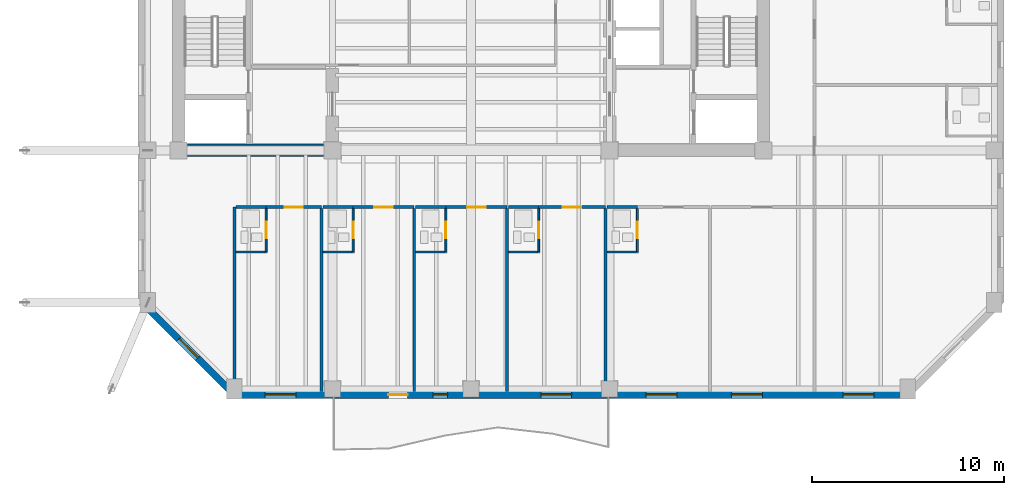
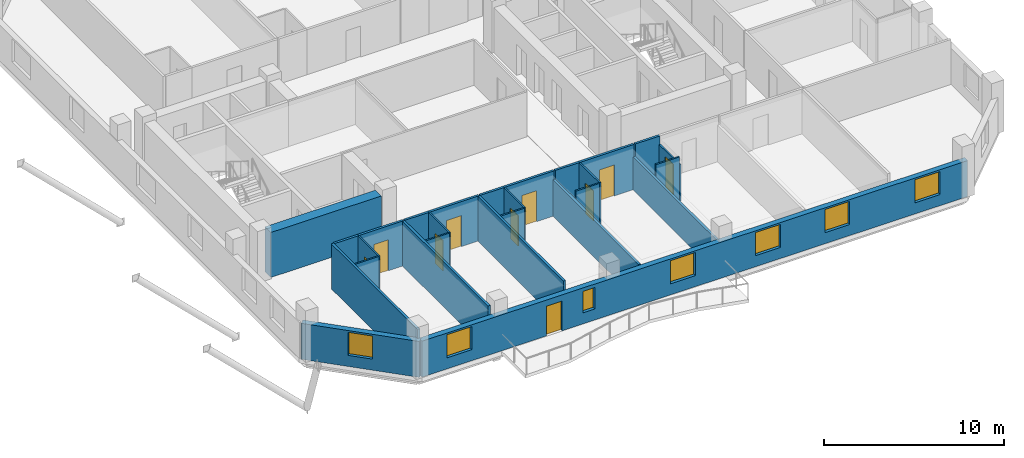
# One storey, part 5 of 13: 27 walls, 10 doors, 7 windows, 17 openings.
"""IFC4 building model written with IfcOpenShell, lengths in metres."""

from ifc_helpers import new_model, si_unit, direction, frame, frame_2d, origin, place, context, subcontext, project, spatial, rectangle, extrude, material, layer, layer_set, type_object, element, fill, save


model = new_model("IFC4")

# Units and contexts
model_context = context("Model", 3, precision=1e-05, world=origin(), true_north=direction((0.0, 1.0)))
body_context = subcontext(model_context, "Body", "Model", "MODEL_VIEW")
ifc_project = project(units=[si_unit("LENGTHUNIT", "METRE"), si_unit("AREAUNIT", "SQUARE_METRE"), si_unit("VOLUMEUNIT", "CUBIC_METRE"), si_unit("PLANEANGLEUNIT", "RADIAN"), si_unit("MASSUNIT", "GRAM", prefix="KILO")], contexts=[model_context])

# Site, building, storey
site_placement = place(None, origin())
site = spatial("IfcSite", under=ifc_project, at=site_placement, CompositionType="ELEMENT")
building_placement = place(site_placement, origin())
building = spatial("IfcBuilding", under=site, at=building_placement, Name="Kranthara Brick Stack", CompositionType="ELEMENT")
storey_placement = place(building_placement, frame((0.0, 0.0, 179.800048828125)))
storey = spatial("IfcBuildingStorey", under=building, at=storey_placement, Name="L46", CompositionType="ELEMENT", Elevation=179.800048828125)

# Wall, openings, door, windows
ifc_material_1 = material(Name="Kiln-fired clay brick masonry M15", Category="masonry")
ifc_layer_1 = layer(ifc_material_1, 0.35009765625)
ifc_layer_set_1 = layer_set([ifc_layer_1], Name="Kiln-fired clay brick masonry M15")
wall_type_1 = type_object("IfcWallType", Name="WL-BRK-SPND-350", PredefinedType="STANDARD", material=ifc_layer_set_1)
wall_1_placement = place(storey_placement, frame((50.699951171875, 8.094970703125, 0.0), z_axis=(0.0, 0.0, 1.0), x_axis=(-1.0, 0.0, 0.0)))
wall_1 = element("IfcWall", 1, at=wall_1_placement, inside=storey, type_object=wall_type_1, Name="L46 Exterior Brick Facade Wall SOUTH 1", PredefinedType="STANDARD", context=body_context, shape_type="SweptSolid", body=[
    extrude(rectangle(XDim=35.0, YDim=0.35009765625, at=frame_2d((17.5, 0.0))), origin(), (0.0, 0.0, 1.0), 2.43505859375),
])
opening_1_placement = place(wall_1_placement, frame((26.0, 0.0, 0.0)))
opening_1 = element("IfcOpeningElement", 2, at=opening_1_placement, cuts=wall_1, Name="Opening D03", PredefinedType="OPENING", context=body_context, shape_type="SweptSolid", body=[
    extrude(rectangle(XDim=1.0, YDim=2.02001953125, at=frame_2d((0.5, 1.010009765625))), frame((0.0, 0.18505859375, 0.0), z_axis=(0.0, -1.0, 0.0), x_axis=(1.0, 0.0, 0.0)), (0.0, 0.0, 1.0), 0.3701171875),
])
opening_2_placement = place(wall_1_placement, frame((1.762939453125, 0.0, 0.75)))
opening_2 = element("IfcOpeningElement", 3, at=opening_2_placement, cuts=wall_1, Name="Opening WN04", PredefinedType="OPENING", context=body_context, shape_type="SweptSolid", body=[
    extrude(rectangle(XDim=1.60009765625, YDim=1.56494140625, at=frame_2d((0.800048828125, 0.782470703125))), frame((0.0, 0.18505859375, 0.0), z_axis=(0.0, -1.0, 0.0), x_axis=(1.0, 0.0, 0.0)), (0.0, 0.0, 1.0), 0.3701171875),
])
opening_3_placement = place(wall_1_placement, frame((7.56396484375, 0.0, 0.75)))
opening_3 = element("IfcOpeningElement", 4, at=opening_3_placement, cuts=wall_1, Name="Opening WN04", PredefinedType="OPENING", context=body_context, shape_type="SweptSolid", body=[
    extrude(rectangle(XDim=1.60009765625, YDim=1.56494140625, at=frame_2d((0.800048828125, 0.782470703125))), frame((0.0, 0.18505859375, 0.0), z_axis=(0.0, -1.0, 0.0), x_axis=(1.0, 0.0, 0.0)), (0.0, 0.0, 1.0), 0.3701171875),
])
opening_4_placement = place(wall_1_placement, frame((12.0009765625, 0.0, 0.75)))
opening_4 = element("IfcOpeningElement", 5, at=opening_4_placement, cuts=wall_1, Name="Opening WN04", PredefinedType="OPENING", context=body_context, shape_type="SweptSolid", body=[
    extrude(rectangle(XDim=1.60009765625, YDim=1.56494140625, at=frame_2d((0.800048828125, 0.782470703125))), frame((0.0, 0.18505859375, 0.0), z_axis=(0.0, -1.0, 0.0), x_axis=(1.0, 0.0, 0.0)), (0.0, 0.0, 1.0), 0.3701171875),
])
opening_5_placement = place(wall_1_placement, frame((17.467041015625, 0.0, 0.75)))
opening_5 = element("IfcOpeningElement", 6, at=opening_5_placement, cuts=wall_1, Name="Opening WN04", PredefinedType="OPENING", context=body_context, shape_type="SweptSolid", body=[
    extrude(rectangle(XDim=1.60009765625, YDim=1.56494140625, at=frame_2d((0.800048828125, 0.782470703125))), frame((0.0, 0.18505859375, 0.0), z_axis=(0.0, -1.0, 0.0), x_axis=(1.0, 0.0, 0.0)), (0.0, 0.0, 1.0), 0.3701171875),
])
opening_6_placement = place(wall_1_placement, frame((31.801025390625, 0.0, 0.75)))
opening_6 = element("IfcOpeningElement", 7, at=opening_6_placement, cuts=wall_1, Name="Opening WN04", PredefinedType="OPENING", context=body_context, shape_type="SweptSolid", body=[
    extrude(rectangle(XDim=1.60009765625, YDim=1.56494140625, at=frame_2d((0.800048828125, 0.782470703125))), frame((0.0, 0.18505859375, 0.0), z_axis=(0.0, -1.0, 0.0), x_axis=(1.0, 0.0, 0.0)), (0.0, 0.0, 1.0), 0.3701171875),
])
opening_7_placement = place(wall_1_placement, frame((23.9140625, 0.0, 0.75)))
opening_7 = element("IfcOpeningElement", 8, at=opening_7_placement, cuts=wall_1, Name="Opening WN13", PredefinedType="OPENING", context=body_context, shape_type="SweptSolid", body=[
    extrude(rectangle(XDim=0.75, YDim=1.449951171875, at=frame_2d((0.375, 0.72509765625))), frame((0.0, 0.18505859375, 0.0), z_axis=(0.0, -1.0, 0.0), x_axis=(1.0, 0.0, 0.0)), (0.0, 0.0, 1.0), 0.3701171875),
])
ifc_material_2 = material(Name="Bronze anodised aluminium and laminated glass", Category="aluminium")
door_type_1 = type_object("IfcDoorType", Name="DR-BALC-1000", OperationType="NOTDEFINED", PredefinedType="DOOR", material=ifc_material_2)
door_1_placement = place(opening_1_placement, origin())
door_1 = element("IfcDoor", 9, at=door_1_placement, inside=storey, type_object=door_type_1, Name="L46 South Balcony Terrace Door", OperationType="SINGLE_SWING_LEFT", OverallHeight=2.02001953125, OverallWidth=1.0, PredefinedType="DOOR", context=body_context, shape_type="SweptSolid", body=[
    extrude(rectangle(XDim=1.0, YDim=2.02001953125, at=frame_2d((0.5, 1.010009765625))), frame((0.0, 0.02490234375, 0.0), z_axis=(0.0, -1.0, 0.0), x_axis=(1.0, 0.0, 0.0)), (0.0, 0.0, 1.0), 0.050048828125),
])
fill(opening_1, door_1)
ifc_material_3 = material(Name="Double-glazed low-E solar control glass", Category="glass")
window_type_1 = type_object("IfcWindowType", Name="WN-CAS-750x1450", PartitioningType="SINGLE_PANEL", PredefinedType="WINDOW", material=ifc_material_3)
window_1_placement = place(opening_7_placement, origin())
window_1 = element("IfcWindow", 10, at=window_1_placement, inside=storey, type_object=window_type_1, Name="L46 South Deep-Set Casement Window 06", OverallHeight=1.449951171875, OverallWidth=0.75, PartitioningType="SINGLE_PANEL", PredefinedType="WINDOW", context=body_context, shape_type="SweptSolid", body=[
    extrude(rectangle(XDim=0.75, YDim=1.449951171875, at=frame_2d((0.375, 0.72509765625))), frame((0.0, -0.010009765625, 0.0), z_axis=(0.0, -1.0, 0.0), x_axis=(1.0, 0.0, 0.0)), (0.0, 0.0, 1.0), 0.06005859375),
])
fill(opening_7, window_1)
ifc_material_4 = material(Name="Double-glazed low-E solar control glass", Category="glass")
window_type_2 = type_object("IfcWindowType", Name="WN-HTL-1600x1850", PartitioningType="DOUBLE_PANEL_VERTICAL", PredefinedType="WINDOW", material=ifc_material_4)
window_2_placement = place(opening_2_placement, origin())
window_2 = element("IfcWindow", 11, at=window_2_placement, inside=storey, type_object=window_type_2, Name="L46 South Deep-Set Brick Window 01", OverallHeight=1.56494140625, OverallWidth=1.60009765625, PartitioningType="SINGLE_PANEL", PredefinedType="WINDOW", context=body_context, shape_type="SweptSolid", body=[
    extrude(rectangle(XDim=1.60009765625, YDim=1.56494140625, at=frame_2d((0.800048828125, 0.782470703125))), frame((0.0, -0.010009765625, 0.0), z_axis=(0.0, -1.0, 0.0), x_axis=(1.0, 0.0, 0.0)), (0.0, 0.0, 1.0), 0.06005859375),
])
fill(opening_2, window_2)
window_3_placement = place(opening_3_placement, origin())
window_3 = element("IfcWindow", 12, at=window_3_placement, inside=storey, type_object=window_type_2, Name="L46 South Deep-Set Brick Window 02", OverallHeight=1.56494140625, OverallWidth=1.60009765625, PartitioningType="SINGLE_PANEL", PredefinedType="WINDOW", context=body_context, shape_type="SweptSolid", body=[
    extrude(rectangle(XDim=1.60009765625, YDim=1.56494140625, at=frame_2d((0.800048828125, 0.782470703125))), frame((0.0, -0.010009765625, 0.0), z_axis=(0.0, -1.0, 0.0), x_axis=(1.0, 0.0, 0.0)), (0.0, 0.0, 1.0), 0.06005859375),
])
fill(opening_3, window_3)
window_4_placement = place(opening_4_placement, origin())
window_4 = element("IfcWindow", 13, at=window_4_placement, inside=storey, type_object=window_type_2, Name="L46 South Deep-Set Brick Window 03", OverallHeight=1.56494140625, OverallWidth=1.60009765625, PartitioningType="SINGLE_PANEL", PredefinedType="WINDOW", context=body_context, shape_type="SweptSolid", body=[
    extrude(rectangle(XDim=1.60009765625, YDim=1.56494140625, at=frame_2d((0.800048828125, 0.782470703125))), frame((0.0, -0.010009765625, 0.0), z_axis=(0.0, -1.0, 0.0), x_axis=(1.0, 0.0, 0.0)), (0.0, 0.0, 1.0), 0.06005859375),
])
fill(opening_4, window_4)
window_5_placement = place(opening_5_placement, origin())
window_5 = element("IfcWindow", 14, at=window_5_placement, inside=storey, type_object=window_type_2, Name="L46 South Deep-Set Brick Window 04", OverallHeight=1.56494140625, OverallWidth=1.60009765625, PartitioningType="SINGLE_PANEL", PredefinedType="WINDOW", context=body_context, shape_type="SweptSolid", body=[
    extrude(rectangle(XDim=1.60009765625, YDim=1.56494140625, at=frame_2d((0.800048828125, 0.782470703125))), frame((0.0, -0.010009765625, 0.0), z_axis=(0.0, -1.0, 0.0), x_axis=(1.0, 0.0, 0.0)), (0.0, 0.0, 1.0), 0.06005859375),
])
fill(opening_5, window_5)
window_6_placement = place(opening_6_placement, origin())
window_6 = element("IfcWindow", 15, at=window_6_placement, inside=storey, type_object=window_type_2, Name="L46 South Deep-Set Brick Window 05", OverallHeight=1.56494140625, OverallWidth=1.60009765625, PartitioningType="SINGLE_PANEL", PredefinedType="WINDOW", context=body_context, shape_type="SweptSolid", body=[
    extrude(rectangle(XDim=1.60009765625, YDim=1.56494140625, at=frame_2d((0.800048828125, 0.782470703125))), frame((0.0, -0.010009765625, 0.0), z_axis=(0.0, -1.0, 0.0), x_axis=(1.0, 0.0, 0.0)), (0.0, 0.0, 1.0), 0.06005859375),
])
fill(opening_6, window_6)

# Wall, opening, window
wall_2_placement = place(storey_placement, frame((15.699951171875, 8.094970703125, 0.0), z_axis=(0.0, 0.0, 1.0), x_axis=(-0.707106781187, 0.707106781187, 0.0)))
wall_2 = element("IfcWall", 16, at=wall_2_placement, inside=storey, type_object=wall_type_1, Name="L46 Exterior Brick Facade Wall SW 1", PredefinedType="STANDARD", context=body_context, shape_type="SweptSolid", body=[
    extrude(rectangle(XDim=6.795166015625, YDim=0.35009765625, at=frame_2d((3.3974609375, 0.0))), origin(), (0.0, 0.0, 1.0), 2.43505859375),
])
opening_8_placement = place(wall_2_placement, frame((2.697998046875, 0.0, 0.75)))
opening_8 = element("IfcOpeningElement", 17, at=opening_8_placement, cuts=wall_2, Name="Opening WN10", PredefinedType="OPENING", context=body_context, shape_type="SweptSolid", body=[
    extrude(rectangle(XDim=1.39990234375, YDim=1.56494140625, at=frame_2d((0.699951171875, 0.782470703125))), frame((0.0, 0.18505859375, 0.0), z_axis=(0.0, -1.0, 0.0), x_axis=(1.0, 0.0, 0.0)), (0.0, 0.0, 1.0), 0.3701171875),
])
ifc_material_5 = material(Name="Double-glazed low-E solar control glass", Category="glass")
window_type_3 = type_object("IfcWindowType", Name="WN-CHM-1400x1750", PartitioningType="SINGLE_PANEL", PredefinedType="WINDOW", material=ifc_material_5)
window_7_placement = place(opening_8_placement, origin())
window_7 = element("IfcWindow", 18, at=window_7_placement, inside=storey, type_object=window_type_3, Name="L46 SW Chamfer Corner Window", OverallHeight=1.56494140625, OverallWidth=1.39990234375, PartitioningType="SINGLE_PANEL", PredefinedType="WINDOW", context=body_context, shape_type="SweptSolid", body=[
    extrude(rectangle(XDim=1.39990234375, YDim=1.56494140625, at=frame_2d((0.699951171875, 0.782470703125))), frame((0.0, -0.010009765625, 0.0), z_axis=(0.0, -1.0, 0.0), x_axis=(1.0, 0.0, 0.0)), (0.0, 0.0, 1.0), 0.06005859375),
])
fill(opening_8, window_7)

# Wall
ifc_material_6 = material(Name="Concrete C60/75", Category="concrete")
ifc_layer_2 = layer(ifc_material_6, 0.64990234375)
ifc_layer_set_2 = layer_set([ifc_layer_2], Name="Concrete C60/75")
wall_type_2 = type_object("IfcWallType", Name="WL-CORE-650", PredefinedType="SHEAR", material=ifc_layer_set_2)
wall_3_placement = place(storey_placement, frame((13.2548828125, 20.800048828125, 0.0), z_axis=(0.0, 0.0, 1.0), x_axis=(1.0, 0.0, 0.0)))
element("IfcWall", 19, at=wall_3_placement, inside=storey, type_object=wall_type_2, Name="L46 West Core Shear Wall South", PredefinedType="SHEAR", context=body_context, shape_type="SweptSolid", body=[
    extrude(rectangle(XDim=7.090087890625, YDim=0.64990234375, at=frame_2d((3.544921875, 0.0))), origin(), (0.0, 0.0, 1.0), 3.050048828125),
])

# Wall, opening, door
ifc_material_7 = material(Name="Moisture-resistant wet-room partition", Category="other")
ifc_layer_3 = layer(ifc_material_7, 0.10009765625)
ifc_layer_set_3 = layer_set([ifc_layer_3], Name="Moisture-resistant wet-room partition")
wall_type_3 = type_object("IfcWallType", Name="WL-PART-100", PredefinedType="PARTITIONING", material=ifc_layer_set_3)
wall_4_placement = place(storey_placement, frame((17.35009765625, 15.52001953125, 0.0), z_axis=(0.0, 0.0, 1.0), x_axis=(0.0, 1.0, 0.0)))
wall_4 = element("IfcWall", 20, at=wall_4_placement, inside=storey, type_object=wall_type_3, Name="L46 Interior Partition 008", PredefinedType="PARTITIONING", context=body_context, shape_type="SweptSolid", body=[
    extrude(rectangle(XDim=2.25, YDim=0.10009765625, at=frame_2d((1.125, 0.0))), origin(), (0.0, 0.0, 1.0), 3.050048828125),
])
opening_9_placement = place(wall_4_placement, frame((0.719970703125, 0.0, 0.0)))
opening_9 = element("IfcOpeningElement", 21, at=opening_9_placement, cuts=wall_4, Name="Opening D17", PredefinedType="OPENING", context=body_context, shape_type="SweptSolid", body=[
    extrude(rectangle(XDim=0.85009765625, YDim=2.050048828125, at=frame_2d((0.425048828125, 1.02490234375))), frame((0.0, 0.06005859375, 0.0), z_axis=(0.0, -1.0, 0.0), x_axis=(1.0, 0.0, 0.0)), (0.0, 0.0, 1.0), 0.1201171875),
])
ifc_material_8 = material(Name="Solid-core hardwood timber leaf in steel frame", Category="steel")
door_type_2 = type_object("IfcDoorType", Name="DR-WET-850", OperationType="NOTDEFINED", PredefinedType="DOOR", material=ifc_material_8)
door_2_placement = place(opening_9_placement, origin())
door_2 = element("IfcDoor", 22, at=door_2_placement, inside=storey, type_object=door_type_2, Name="L46 Key 01 En-Suite Door 03", OperationType="SINGLE_SWING_LEFT", OverallHeight=2.050048828125, OverallWidth=0.85009765625, PredefinedType="DOOR", context=body_context, shape_type="SweptSolid", body=[
    extrude(rectangle(XDim=0.85009765625, YDim=2.050048828125, at=frame_2d((0.425048828125, 1.02490234375))), frame((0.0, 0.02490234375, 0.0), z_axis=(0.0, -1.0, 0.0), x_axis=(1.0, 0.0, 0.0)), (0.0, 0.0, 1.0), 0.050048828125),
])
fill(opening_9, door_2)

# Wall
wall_5_placement = place(storey_placement, frame((15.780029296875, 15.52001953125, 0.0), z_axis=(0.0, 0.0, 1.0), x_axis=(1.0, 0.0, 0.0)))
element("IfcWall", 23, at=wall_5_placement, inside=storey, type_object=wall_type_3, Name="L46 Interior Partition 009", PredefinedType="PARTITIONING", context=body_context, shape_type="SweptSolid", body=[
    extrude(rectangle(XDim=1.514892578125, YDim=0.10009765625, at=frame_2d((0.75732421875, 0.0))), origin(), (0.0, 0.0, 1.0), 3.050048828125),
])

# Wall, opening, door
wall_6_placement = place(storey_placement, frame((21.873046875, 15.52001953125, 0.0), z_axis=(0.0, 0.0, 1.0), x_axis=(0.0, 1.0, 0.0)))
wall_6 = element("IfcWall", 24, at=wall_6_placement, inside=storey, type_object=wall_type_3, Name="L46 Interior Partition 013", PredefinedType="PARTITIONING", context=body_context, shape_type="SweptSolid", body=[
    extrude(rectangle(XDim=2.25, YDim=0.10009765625, at=frame_2d((1.125, 0.0))), origin(), (0.0, 0.0, 1.0), 3.050048828125),
])
opening_10_placement = place(wall_6_placement, frame((0.719970703125, 0.0, 0.0)))
opening_10 = element("IfcOpeningElement", 25, at=opening_10_placement, cuts=wall_6, Name="Opening D17", PredefinedType="OPENING", context=body_context, shape_type="SweptSolid", body=[
    extrude(rectangle(XDim=0.85009765625, YDim=2.050048828125, at=frame_2d((0.425048828125, 1.02490234375))), frame((0.0, 0.06005859375, 0.0), z_axis=(0.0, -1.0, 0.0), x_axis=(1.0, 0.0, 0.0)), (0.0, 0.0, 1.0), 0.1201171875),
])
door_3_placement = place(opening_10_placement, origin())
door_3 = element("IfcDoor", 26, at=door_3_placement, inside=storey, type_object=door_type_2, Name="L46 Key 02 En-Suite Door 05", OperationType="SINGLE_SWING_LEFT", OverallHeight=2.050048828125, OverallWidth=0.85009765625, PredefinedType="DOOR", context=body_context, shape_type="SweptSolid", body=[
    extrude(rectangle(XDim=0.85009765625, YDim=2.050048828125, at=frame_2d((0.425048828125, 1.02490234375))), frame((0.0, 0.02490234375, 0.0), z_axis=(0.0, -1.0, 0.0), x_axis=(1.0, 0.0, 0.0)), (0.0, 0.0, 1.0), 0.050048828125),
])
fill(opening_10, door_3)

# Wall
wall_7_placement = place(storey_placement, frame((20.302978515625, 15.52001953125, 0.0), z_axis=(0.0, 0.0, 1.0), x_axis=(1.0, 0.0, 0.0)))
element("IfcWall", 27, at=wall_7_placement, inside=storey, type_object=wall_type_3, Name="L46 Interior Partition 014", PredefinedType="PARTITIONING", context=body_context, shape_type="SweptSolid", body=[
    extrude(rectangle(XDim=1.51513671875, YDim=0.10009765625, at=frame_2d((0.757568359375, 0.0))), origin(), (0.0, 0.0, 1.0), 3.050048828125),
])

# Wall, opening, door
wall_8_placement = place(storey_placement, frame((26.697021484375, 15.52001953125, 0.0), z_axis=(0.0, 0.0, 1.0), x_axis=(0.0, 1.0, 0.0)))
wall_8 = element("IfcWall", 28, at=wall_8_placement, inside=storey, type_object=wall_type_3, Name="L46 Interior Partition 018", PredefinedType="PARTITIONING", context=body_context, shape_type="SweptSolid", body=[
    extrude(rectangle(XDim=2.25, YDim=0.10009765625, at=frame_2d((1.125, 0.0))), origin(), (0.0, 0.0, 1.0), 3.050048828125),
])
opening_11_placement = place(wall_8_placement, frame((0.719970703125, 0.0, 0.0)))
opening_11 = element("IfcOpeningElement", 29, at=opening_11_placement, cuts=wall_8, Name="Opening D17", PredefinedType="OPENING", context=body_context, shape_type="SweptSolid", body=[
    extrude(rectangle(XDim=0.85009765625, YDim=2.050048828125, at=frame_2d((0.425048828125, 1.02490234375))), frame((0.0, 0.06005859375, 0.0), z_axis=(0.0, -1.0, 0.0), x_axis=(1.0, 0.0, 0.0)), (0.0, 0.0, 1.0), 0.1201171875),
])
door_4_placement = place(opening_11_placement, origin())
door_4 = element("IfcDoor", 30, at=door_4_placement, inside=storey, type_object=door_type_2, Name="L46 Key 03 En-Suite Door 07", OperationType="SINGLE_SWING_LEFT", OverallHeight=2.050048828125, OverallWidth=0.85009765625, PredefinedType="DOOR", context=body_context, shape_type="SweptSolid", body=[
    extrude(rectangle(XDim=0.85009765625, YDim=2.050048828125, at=frame_2d((0.425048828125, 1.02490234375))), frame((0.0, 0.02490234375, 0.0), z_axis=(0.0, -1.0, 0.0), x_axis=(1.0, 0.0, 0.0)), (0.0, 0.0, 1.0), 0.050048828125),
])
fill(opening_11, door_4)

# Wall
wall_9_placement = place(storey_placement, frame((25.126953125, 15.52001953125, 0.0), z_axis=(0.0, 0.0, 1.0), x_axis=(1.0, 0.0, 0.0)))
element("IfcWall", 31, at=wall_9_placement, inside=storey, type_object=wall_type_3, Name="L46 Interior Partition 019", PredefinedType="PARTITIONING", context=body_context, shape_type="SweptSolid", body=[
    extrude(rectangle(XDim=1.51513671875, YDim=0.10009765625, at=frame_2d((0.757568359375, 0.0))), origin(), (0.0, 0.0, 1.0), 3.050048828125),
])

# Wall, opening, door
wall_10_placement = place(storey_placement, frame((31.52001953125, 15.52001953125, 0.0), z_axis=(0.0, 0.0, 1.0), x_axis=(0.0, 1.0, 0.0)))
wall_10 = element("IfcWall", 32, at=wall_10_placement, inside=storey, type_object=wall_type_3, Name="L46 Interior Partition 023", PredefinedType="PARTITIONING", context=body_context, shape_type="SweptSolid", body=[
    extrude(rectangle(XDim=2.25, YDim=0.10009765625, at=frame_2d((1.125, 0.0))), origin(), (0.0, 0.0, 1.0), 3.050048828125),
])
opening_12_placement = place(wall_10_placement, frame((0.719970703125, 0.0, 0.0)))
opening_12 = element("IfcOpeningElement", 33, at=opening_12_placement, cuts=wall_10, Name="Opening D17", PredefinedType="OPENING", context=body_context, shape_type="SweptSolid", body=[
    extrude(rectangle(XDim=0.85009765625, YDim=2.050048828125, at=frame_2d((0.425048828125, 1.02490234375))), frame((0.0, 0.06005859375, 0.0), z_axis=(0.0, -1.0, 0.0), x_axis=(1.0, 0.0, 0.0)), (0.0, 0.0, 1.0), 0.1201171875),
])
door_5_placement = place(opening_12_placement, origin())
door_5 = element("IfcDoor", 34, at=door_5_placement, inside=storey, type_object=door_type_2, Name="L46 Key 04 En-Suite Door 09", OperationType="SINGLE_SWING_LEFT", OverallHeight=2.050048828125, OverallWidth=0.85009765625, PredefinedType="DOOR", context=body_context, shape_type="SweptSolid", body=[
    extrude(rectangle(XDim=0.85009765625, YDim=2.050048828125, at=frame_2d((0.425048828125, 1.02490234375))), frame((0.0, 0.02490234375, 0.0), z_axis=(0.0, -1.0, 0.0), x_axis=(1.0, 0.0, 0.0)), (0.0, 0.0, 1.0), 0.050048828125),
])
fill(opening_12, door_5)

# Wall
wall_11_placement = place(storey_placement, frame((29.949951171875, 15.52001953125, 0.0), z_axis=(0.0, 0.0, 1.0), x_axis=(1.0, 0.0, 0.0)))
element("IfcWall", 35, at=wall_11_placement, inside=storey, type_object=wall_type_3, Name="L46 Interior Partition 024", PredefinedType="PARTITIONING", context=body_context, shape_type="SweptSolid", body=[
    extrude(rectangle(XDim=1.51513671875, YDim=0.10009765625, at=frame_2d((0.757568359375, 0.0))), origin(), (0.0, 0.0, 1.0), 3.050048828125),
])

# Wall, opening, door
wall_12_placement = place(storey_placement, frame((36.64599609375, 15.52001953125, 0.0), z_axis=(0.0, 0.0, 1.0), x_axis=(0.0, 1.0, 0.0)))
wall_12 = element("IfcWall", 36, at=wall_12_placement, inside=storey, type_object=wall_type_3, Name="L46 Interior Partition 028", PredefinedType="PARTITIONING", context=body_context, shape_type="SweptSolid", body=[
    extrude(rectangle(XDim=2.25, YDim=0.10009765625, at=frame_2d((1.125, 0.0))), origin(), (0.0, 0.0, 1.0), 2.48486328125),
])
opening_13_placement = place(wall_12_placement, frame((0.719970703125, 0.0, 0.0)))
opening_13 = element("IfcOpeningElement", 37, at=opening_13_placement, cuts=wall_12, Name="Opening D17", PredefinedType="OPENING", context=body_context, shape_type="SweptSolid", body=[
    extrude(rectangle(XDim=0.85009765625, YDim=2.050048828125, at=frame_2d((0.425048828125, 1.02490234375))), frame((0.0, 0.06005859375, 0.0), z_axis=(0.0, -1.0, 0.0), x_axis=(1.0, 0.0, 0.0)), (0.0, 0.0, 1.0), 0.1201171875),
])
door_6_placement = place(opening_13_placement, origin())
door_6 = element("IfcDoor", 38, at=door_6_placement, inside=storey, type_object=door_type_2, Name="L46 Key 05 En-Suite Door 11", OperationType="SINGLE_SWING_LEFT", OverallHeight=2.050048828125, OverallWidth=0.85009765625, PredefinedType="DOOR", context=body_context, shape_type="SweptSolid", body=[
    extrude(rectangle(XDim=0.85009765625, YDim=2.050048828125, at=frame_2d((0.425048828125, 1.02490234375))), frame((0.0, 0.02490234375, 0.0), z_axis=(0.0, -1.0, 0.0), x_axis=(1.0, 0.0, 0.0)), (0.0, 0.0, 1.0), 0.050048828125),
])
fill(opening_13, door_6)

# Walls
wall_13_placement = place(storey_placement, frame((35.075927734375, 15.52001953125, 0.0), z_axis=(0.0, 0.0, 1.0), x_axis=(1.0, 0.0, 0.0)))
element("IfcWall", 39, at=wall_13_placement, inside=storey, type_object=wall_type_3, Name="L46 Interior Partition 029", PredefinedType="PARTITIONING", context=body_context, shape_type="SweptSolid", body=[
    extrude(rectangle(XDim=1.51513671875, YDim=0.10009765625, at=frame_2d((0.757568359375, 0.0))), origin(), (0.0, 0.0, 1.0), 3.050048828125),
])
ifc_material_9 = material(Name="Fire-rated gypsum board partition", Category="other")
ifc_layer_4 = layer(ifc_material_9, 0.14990234375)
ifc_layer_set_4 = layer_set([ifc_layer_4], Name="Fire-rated gypsum board partition")
wall_type_4 = type_object("IfcWallType", Name="WL-PART-150", PredefinedType="PARTITIONING", material=ifc_layer_set_4)
wall_14_placement = place(storey_placement, frame((15.699951171875, 8.27490234375, 0.0), z_axis=(0.0, 0.0, 1.0), x_axis=(0.0, 1.0, 0.0)))
element("IfcWall", 40, at=wall_14_placement, inside=storey, type_object=wall_type_4, Name="L46 Interior Partition 005", PredefinedType="PARTITIONING", context=body_context, shape_type="SweptSolid", body=[
    extrude(rectangle(XDim=9.5751953125, YDim=0.14990234375, at=frame_2d((4.78759765625, 0.0))), origin(), (0.0, 0.0, 1.0), 3.050048828125),
])
wall_15_placement = place(storey_placement, frame((15.780029296875, 17.85009765625, 0.0), z_axis=(0.0, 0.0, 1.0), x_axis=(1.0, 0.0, 0.0)))
element("IfcWall", 41, at=wall_15_placement, inside=storey, type_object=wall_type_4, Name="L46 Interior Partition 006", PredefinedType="PARTITIONING", context=body_context, shape_type="SweptSolid", body=[
    extrude(rectangle(XDim=1.570068359375, YDim=0.14990234375, at=frame_2d((0.78515625, 0.0))), origin(), (0.0, 0.0, 1.0), 3.050048828125),
])

# Wall, opening, door
wall_16_placement = place(storey_placement, frame((17.35009765625, 17.85009765625, 0.0), z_axis=(0.0, 0.0, 1.0), x_axis=(1.0, 0.0, 0.0)))
wall_16 = element("IfcWall", 42, at=wall_16_placement, inside=storey, type_object=wall_type_4, Name="L46 Interior Partition 007", PredefinedType="PARTITIONING", context=body_context, shape_type="SweptSolid", body=[
    extrude(rectangle(XDim=2.872802734375, YDim=0.14990234375, at=frame_2d((1.4365234375, 0.0))), origin(), (0.0, 0.0, 1.0), 3.050048828125),
])
opening_14_placement = place(wall_16_placement, frame((0.95703125, 0.0, 0.0)))
opening_14 = element("IfcOpeningElement", 43, at=opening_14_placement, cuts=wall_16, Name="Opening D09", PredefinedType="OPENING", context=body_context, shape_type="SweptSolid", body=[
    extrude(rectangle(XDim=0.949951171875, YDim=2.10009765625, at=frame_2d((0.47509765625, 1.050048828125))), frame((0.0, 0.0849609375, 0.0), z_axis=(0.0, -1.0, 0.0), x_axis=(1.0, 0.0, 0.0)), (0.0, 0.0, 1.0), 0.169921875),
])
ifc_material_10 = material(Name="Solid-core hardwood timber leaf in steel frame", Category="steel")
door_type_3 = type_object("IfcDoorType", Name="DR-FD-950", OperationType="NOTDEFINED", PredefinedType="DOOR", material=ifc_material_10)
door_7_placement = place(opening_14_placement, origin())
door_7 = element("IfcDoor", 44, at=door_7_placement, inside=storey, type_object=door_type_3, Name="L46 Key 01 Entry 04", OperationType="SINGLE_SWING_RIGHT", OverallHeight=2.10009765625, OverallWidth=0.949951171875, PredefinedType="DOOR", context=body_context, shape_type="SweptSolid", body=[
    extrude(rectangle(XDim=0.949951171875, YDim=2.10009765625, at=frame_2d((0.47509765625, 1.050048828125))), frame((0.0, 0.02490234375, 0.0), z_axis=(0.0, -1.0, 0.0), x_axis=(1.0, 0.0, 0.0)), (0.0, 0.0, 1.0), 0.050048828125),
])
fill(opening_14, door_7)

# Walls
wall_17_placement = place(storey_placement, frame((20.222900390625, 8.27490234375, 0.0), z_axis=(0.0, 0.0, 1.0), x_axis=(0.0, 1.0, 0.0)))
element("IfcWall", 45, at=wall_17_placement, inside=storey, type_object=wall_type_4, Name="L46 Interior Partition 010", PredefinedType="PARTITIONING", context=body_context, shape_type="SweptSolid", body=[
    extrude(rectangle(XDim=9.4951171875, YDim=0.14990234375, at=frame_2d((4.74755859375, 0.0))), origin(), (0.0, 0.0, 1.0), 3.050048828125),
])
wall_18_placement = place(storey_placement, frame((20.302978515625, 17.85009765625, 0.0), z_axis=(0.0, 0.0, 1.0), x_axis=(1.0, 0.0, 0.0)))
element("IfcWall", 46, at=wall_18_placement, inside=storey, type_object=wall_type_4, Name="L46 Interior Partition 011", PredefinedType="PARTITIONING", context=body_context, shape_type="SweptSolid", body=[
    extrude(rectangle(XDim=1.570068359375, YDim=0.14990234375, at=frame_2d((0.78515625, 0.0))), origin(), (0.0, 0.0, 1.0), 3.050048828125),
])

# Wall, opening, door
wall_19_placement = place(storey_placement, frame((21.873046875, 17.85009765625, 0.0), z_axis=(0.0, 0.0, 1.0), x_axis=(1.0, 0.0, 0.0)))
wall_19 = element("IfcWall", 47, at=wall_19_placement, inside=storey, type_object=wall_type_4, Name="L46 Interior Partition 012", PredefinedType="PARTITIONING", context=body_context, shape_type="SweptSolid", body=[
    extrude(rectangle(XDim=3.174072265625, YDim=0.14990234375, at=frame_2d((1.5869140625, 0.0))), origin(), (0.0, 0.0, 1.0), 3.050048828125),
])
opening_15_placement = place(wall_19_placement, frame((1.10693359375, 0.0, 0.0)))
opening_15 = element("IfcOpeningElement", 48, at=opening_15_placement, cuts=wall_19, Name="Opening D09", PredefinedType="OPENING", context=body_context, shape_type="SweptSolid", body=[
    extrude(rectangle(XDim=0.949951171875, YDim=2.10009765625, at=frame_2d((0.47509765625, 1.050048828125))), frame((0.0, 0.0849609375, 0.0), z_axis=(0.0, -1.0, 0.0), x_axis=(1.0, 0.0, 0.0)), (0.0, 0.0, 1.0), 0.169921875),
])
door_8_placement = place(opening_15_placement, origin())
door_8 = element("IfcDoor", 49, at=door_8_placement, inside=storey, type_object=door_type_3, Name="L46 Key 02 Entry 06", OperationType="SINGLE_SWING_RIGHT", OverallHeight=2.10009765625, OverallWidth=0.949951171875, PredefinedType="DOOR", context=body_context, shape_type="SweptSolid", body=[
    extrude(rectangle(XDim=0.949951171875, YDim=2.10009765625, at=frame_2d((0.47509765625, 1.050048828125))), frame((0.0, 0.02490234375, 0.0), z_axis=(0.0, -1.0, 0.0), x_axis=(1.0, 0.0, 0.0)), (0.0, 0.0, 1.0), 0.050048828125),
])
fill(opening_15, door_8)

# Walls
wall_20_placement = place(storey_placement, frame((25.047119140625, 8.27490234375, 0.0), z_axis=(0.0, 0.0, 1.0), x_axis=(0.0, 1.0, 0.0)))
element("IfcWall", 50, at=wall_20_placement, inside=storey, type_object=wall_type_4, Name="L46 Interior Partition 015", PredefinedType="PARTITIONING", context=body_context, shape_type="SweptSolid", body=[
    extrude(rectangle(XDim=9.4951171875, YDim=0.14990234375, at=frame_2d((4.74755859375, 0.0))), origin(), (0.0, 0.0, 1.0), 3.050048828125),
])
wall_21_placement = place(storey_placement, frame((25.126953125, 17.85009765625, 0.0), z_axis=(0.0, 0.0, 1.0), x_axis=(1.0, 0.0, 0.0)))
element("IfcWall", 51, at=wall_21_placement, inside=storey, type_object=wall_type_4, Name="L46 Interior Partition 016", PredefinedType="PARTITIONING", context=body_context, shape_type="SweptSolid", body=[
    extrude(rectangle(XDim=1.570068359375, YDim=0.14990234375, at=frame_2d((0.78515625, 0.0))), origin(), (0.0, 0.0, 1.0), 3.050048828125),
])

# Wall, opening, door
wall_22_placement = place(storey_placement, frame((26.697021484375, 17.85009765625, 0.0), z_axis=(0.0, 0.0, 1.0), x_axis=(1.0, 0.0, 0.0)))
wall_22 = element("IfcWall", 52, at=wall_22_placement, inside=storey, type_object=wall_type_4, Name="L46 Interior Partition 017", PredefinedType="PARTITIONING", context=body_context, shape_type="SweptSolid", body=[
    extrude(rectangle(XDim=3.173095703125, YDim=0.14990234375, at=frame_2d((1.58642578125, 0.0))), origin(), (0.0, 0.0, 1.0), 3.050048828125),
])
opening_16_placement = place(wall_22_placement, frame((1.10693359375, 0.0, 0.0)))
opening_16 = element("IfcOpeningElement", 53, at=opening_16_placement, cuts=wall_22, Name="Opening D09", PredefinedType="OPENING", context=body_context, shape_type="SweptSolid", body=[
    extrude(rectangle(XDim=0.949951171875, YDim=2.10009765625, at=frame_2d((0.47509765625, 1.050048828125))), frame((0.0, 0.0849609375, 0.0), z_axis=(0.0, -1.0, 0.0), x_axis=(1.0, 0.0, 0.0)), (0.0, 0.0, 1.0), 0.169921875),
])
door_9_placement = place(opening_16_placement, origin())
door_9 = element("IfcDoor", 54, at=door_9_placement, inside=storey, type_object=door_type_3, Name="L46 Key 03 Entry 08", OperationType="SINGLE_SWING_RIGHT", OverallHeight=2.10009765625, OverallWidth=0.949951171875, PredefinedType="DOOR", context=body_context, shape_type="SweptSolid", body=[
    extrude(rectangle(XDim=0.949951171875, YDim=2.10009765625, at=frame_2d((0.47509765625, 1.050048828125))), frame((0.0, 0.02490234375, 0.0), z_axis=(0.0, -1.0, 0.0), x_axis=(1.0, 0.0, 0.0)), (0.0, 0.0, 1.0), 0.050048828125),
])
fill(opening_16, door_9)

# Walls
wall_23_placement = place(storey_placement, frame((29.8701171875, 8.27490234375, 0.0), z_axis=(0.0, 0.0, 1.0), x_axis=(0.0, 1.0, 0.0)))
element("IfcWall", 55, at=wall_23_placement, inside=storey, type_object=wall_type_4, Name="L46 Interior Partition 020", PredefinedType="PARTITIONING", context=body_context, shape_type="SweptSolid", body=[
    extrude(rectangle(XDim=9.4951171875, YDim=0.14990234375, at=frame_2d((4.74755859375, 0.0))), origin(), (0.0, 0.0, 1.0), 2.48486328125),
])
wall_24_placement = place(storey_placement, frame((29.949951171875, 17.85009765625, 0.0), z_axis=(0.0, 0.0, 1.0), x_axis=(1.0, 0.0, 0.0)))
element("IfcWall", 56, at=wall_24_placement, inside=storey, type_object=wall_type_4, Name="L46 Interior Partition 021", PredefinedType="PARTITIONING", context=body_context, shape_type="SweptSolid", body=[
    extrude(rectangle(XDim=1.570068359375, YDim=0.14990234375, at=frame_2d((0.78515625, 0.0))), origin(), (0.0, 0.0, 1.0), 3.050048828125),
])

# Wall, opening, door
wall_25_placement = place(storey_placement, frame((31.52001953125, 17.85009765625, 0.0), z_axis=(0.0, 0.0, 1.0), x_axis=(1.0, 0.0, 0.0)))
wall_25 = element("IfcWall", 57, at=wall_25_placement, inside=storey, type_object=wall_type_4, Name="L46 Interior Partition 022", PredefinedType="PARTITIONING", context=body_context, shape_type="SweptSolid", body=[
    extrude(rectangle(XDim=3.47607421875, YDim=0.14990234375, at=frame_2d((1.738037109375, 0.0))), origin(), (0.0, 0.0, 1.0), 3.050048828125),
])
opening_17_placement = place(wall_25_placement, frame((1.258056640625, 0.0, 0.0)))
opening_17 = element("IfcOpeningElement", 58, at=opening_17_placement, cuts=wall_25, Name="Opening D09", PredefinedType="OPENING", context=body_context, shape_type="SweptSolid", body=[
    extrude(rectangle(XDim=0.949951171875, YDim=2.10009765625, at=frame_2d((0.47509765625, 1.050048828125))), frame((0.0, 0.0849609375, 0.0), z_axis=(0.0, -1.0, 0.0), x_axis=(1.0, 0.0, 0.0)), (0.0, 0.0, 1.0), 0.169921875),
])
door_10_placement = place(opening_17_placement, origin())
door_10 = element("IfcDoor", 59, at=door_10_placement, inside=storey, type_object=door_type_3, Name="L46 Key 04 Entry 10", OperationType="SINGLE_SWING_RIGHT", OverallHeight=2.10009765625, OverallWidth=0.949951171875, PredefinedType="DOOR", context=body_context, shape_type="SweptSolid", body=[
    extrude(rectangle(XDim=0.949951171875, YDim=2.10009765625, at=frame_2d((0.47509765625, 1.050048828125))), frame((0.0, 0.02490234375, 0.0), z_axis=(0.0, -1.0, 0.0), x_axis=(1.0, 0.0, 0.0)), (0.0, 0.0, 1.0), 0.050048828125),
])
fill(opening_17, door_10)

# Walls
wall_26_placement = place(storey_placement, frame((34.99609375, 8.27490234375, 0.0), z_axis=(0.0, 0.0, 1.0), x_axis=(0.0, 1.0, 0.0)))
element("IfcWall", 60, at=wall_26_placement, inside=storey, type_object=wall_type_4, Name="L46 Interior Partition 025", PredefinedType="PARTITIONING", context=body_context, shape_type="SweptSolid", body=[
    extrude(rectangle(XDim=9.4951171875, YDim=0.14990234375, at=frame_2d((4.74755859375, 0.0))), origin(), (0.0, 0.0, 1.0), 2.23486328125),
])
wall_27_placement = place(storey_placement, frame((35.075927734375, 17.85009765625, 0.0), z_axis=(0.0, 0.0, 1.0), x_axis=(1.0, 0.0, 0.0)))
element("IfcWall", 61, at=wall_27_placement, inside=storey, type_object=wall_type_4, Name="L46 Interior Partition 026", PredefinedType="PARTITIONING", context=body_context, shape_type="SweptSolid", body=[
    extrude(rectangle(XDim=1.570068359375, YDim=0.14990234375, at=frame_2d((0.78515625, 0.0))), origin(), (0.0, 0.0, 1.0), 3.050048828125),
])

save(model, "model.ifc")
